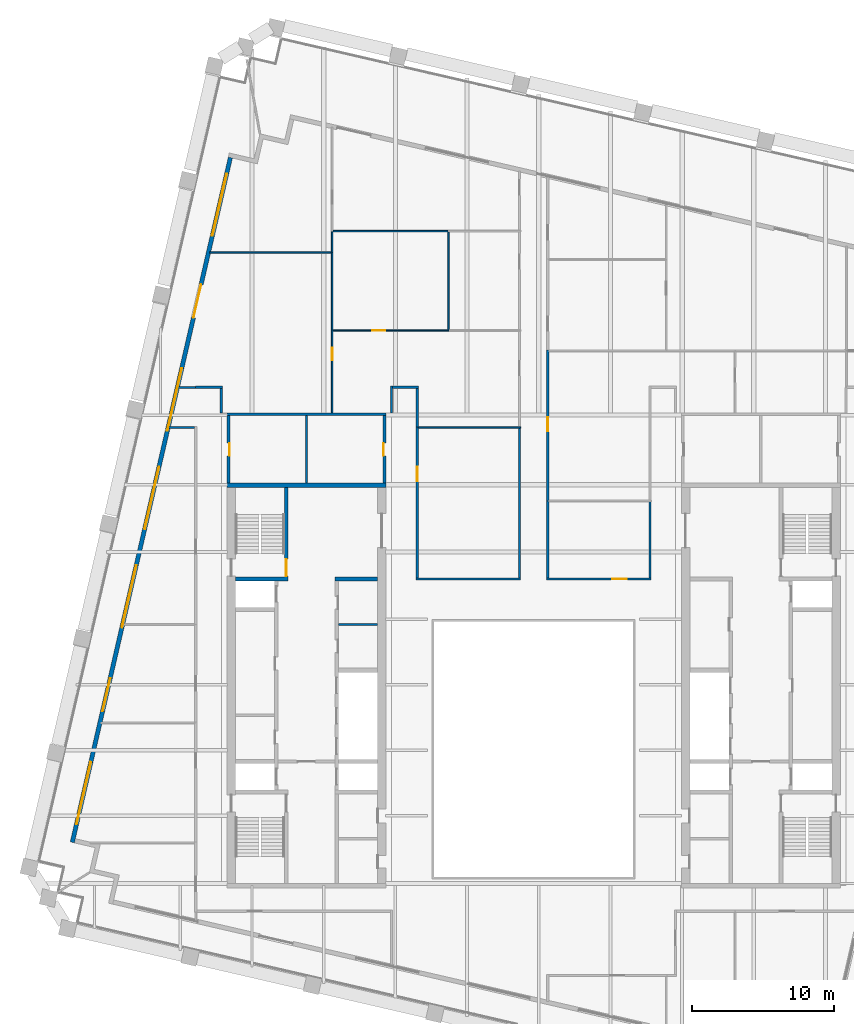
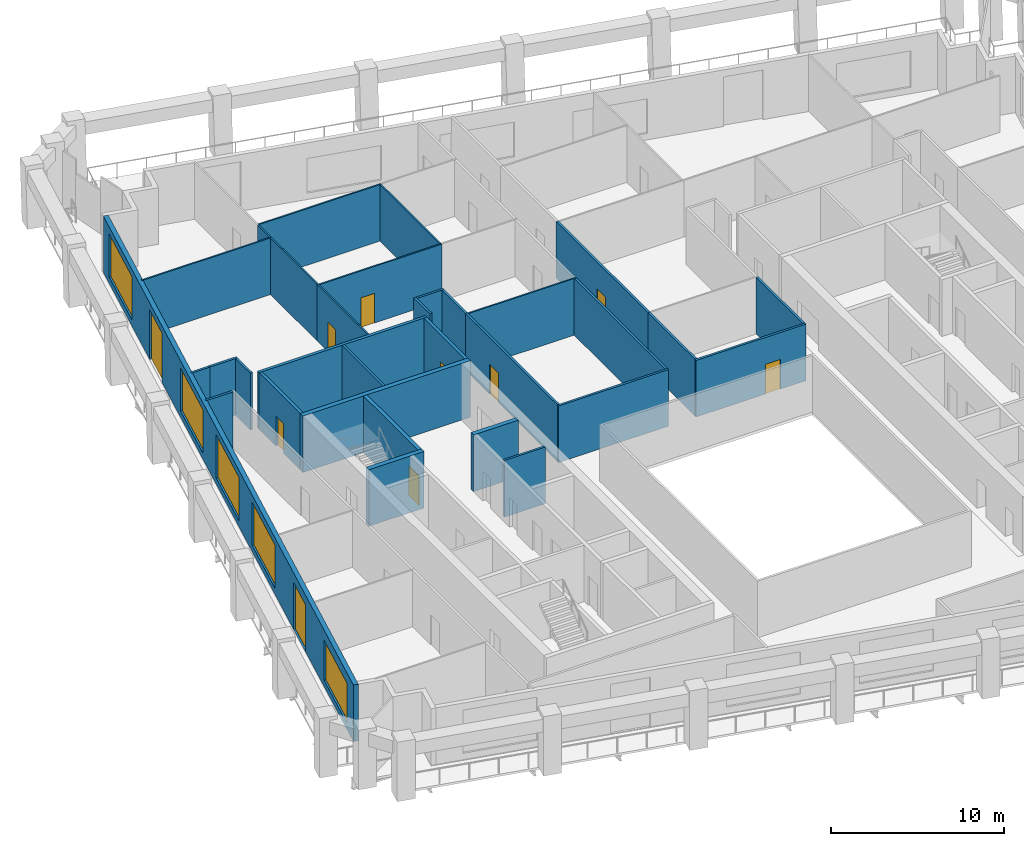
# One storey, part 7 of 10: 32 walls, 10 doors, 5 windows, 15 openings.
"""IFC4 building model written with IfcOpenShell, lengths in metres."""

from ifc_helpers import new_model, si_unit, direction, frame, frame_2d, origin, place, context, subcontext, project, spatial, rectangle, extrude, material, layer, layer_set, type_object, element, fill, save


model = new_model("IFC4")

# Units and contexts
model_context = context("Model", 3, precision=1e-05, world=origin(), true_north=direction((0.0, 1.0)))
body_context = subcontext(model_context, "Body", "Model", "MODEL_VIEW")
ifc_project = project(units=[si_unit("LENGTHUNIT", "METRE"), si_unit("AREAUNIT", "SQUARE_METRE"), si_unit("VOLUMEUNIT", "CUBIC_METRE"), si_unit("PLANEANGLEUNIT", "RADIAN"), si_unit("MASSUNIT", "GRAM", prefix="KILO")], contexts=[model_context])

# Site, building, storey
site_placement = place(None, origin())
site = spatial("IfcSite", under=ifc_project, at=site_placement, CompositionType="ELEMENT")
building_placement = place(site_placement, origin())
building = spatial("IfcBuilding", under=site, at=building_placement, Name="Ogive Exchange Tower", CompositionType="ELEMENT")
storey_placement = place(building_placement, frame((0.0, 0.0, 272.39990234375)))
storey = spatial("IfcBuildingStorey", under=building, at=storey_placement, Name="L59", CompositionType="ELEMENT", Elevation=272.39990234375)

# Walls
ifc_material_1 = material(Name="Gypsum board partition")
ifc_layer_1 = layer(ifc_material_1, 0.14990234375)
ifc_layer_set_1 = layer_set([ifc_layer_1], Name="Core room partition 150 gypsum")
wall_type_1 = type_object("IfcWallType", Name="Core room partition 150 gypsum", PredefinedType="PARTITIONING", material=ifc_layer_set_1)
wall_1_placement = place(storey_placement, frame((-13.75, 15.800048828125, 0.0), z_axis=(0.0, 0.0, 1.0), x_axis=(1.0, 0.0, 0.0)))
element("IfcWall", 1, at=wall_1_placement, inside=storey, type_object=wall_type_1, Name="W row B bay partition 4-1", PredefinedType="PARTITIONING", context=body_context, shape_type="SweptSolid", body=[
    extrude(rectangle(XDim=2.75, YDim=0.14990234375, at=frame_2d((1.375, 0.0))), origin(), (0.0, 0.0, 1.0), 4.0),
])
wall_2_placement = place(storey_placement, frame((-16.0, 25.75, 0.0), z_axis=(0.0, 0.0, 1.0), x_axis=(0.0, 1.0, 0.0)))
element("IfcWall", 2, at=wall_2_placement, inside=storey, type_object=wall_type_1, Name="W annex N column wall", PredefinedType="PARTITIONING", context=body_context, shape_type="SweptSolid", body=[
    extrude(rectangle(XDim=4.75, YDim=0.14990234375, at=frame_2d((2.375, 0.0))), origin(), (0.0, 0.0, 1.0), 4.0),
])
ifc_layer_2 = layer(ifc_material_1, 0.300048828125)
ifc_layer_set_2 = layer_set([ifc_layer_2], Name="Core room partition 300 gypsum")
wall_type_2 = type_object("IfcWallType", Name="Core room partition 300 gypsum", PredefinedType="PARTITIONING", material=ifc_layer_set_2)
wall_3_placement = place(storey_placement, frame((-14.0, 19.0, 0.0), z_axis=(0.0, 0.0, 1.0), x_axis=(1.0, 0.0, 0.0)))
element("IfcWall", 3, at=wall_3_placement, inside=storey, type_object=wall_type_2, Name="W row B room end wall 7", PredefinedType="PARTITIONING", context=body_context, shape_type="SweptSolid", body=[
    extrude(rectangle(XDim=3.0, YDim=0.300048828125, at=frame_2d((1.5, 0.0))), origin(), (0.0, 0.0, 1.0), 4.0),
])
ifc_material_2 = material(Name="Fire partition EI 60 150")
ifc_layer_3 = layer(ifc_material_2, 0.14990234375)
ifc_layer_set_3 = layer_set([ifc_layer_3], Name="Fire partition EI 60 150")
wall_type_3 = type_object("IfcWallType", Name="Fire partition EI 60 150", PredefinedType="PARTITIONING", material=ifc_layer_set_3)
wall_4_placement = place(storey_placement, frame((-25.02490234375, 32.489990234375, 0.0), z_axis=(0.0, 0.0, 1.0), x_axis=(1.0, 0.0, 0.0)))
element("IfcWall", 4, at=wall_4_placement, inside=storey, type_object=wall_type_3, Name="L59-PWL-001", PredefinedType="PARTITIONING", context=body_context, shape_type="SweptSolid", body=[
    extrude(rectangle(XDim=1.224853515625, YDim=0.14990234375, at=frame_2d((0.6123046875, 0.0))), origin(), (0.0, 0.0, 1.0), 4.0),
])
wall_5_placement = place(storey_placement, frame((-23.875, 29.659912109375, 0.0), z_axis=(0.0, 0.0, 1.0), x_axis=(-1.0, 0.0, 0.0)))
element("IfcWall", 5, at=wall_5_placement, inside=storey, type_object=wall_type_3, Name="L59-PWL-009", PredefinedType="PARTITIONING", context=body_context, shape_type="SweptSolid", body=[
    extrude(rectangle(XDim=1.802978515625, YDim=0.14990234375, at=frame_2d((0.9013671875, 0.0))), origin(), (0.0, 0.0, 1.0), 4.0),
])
wall_6_placement = place(storey_placement, frame((-23.800048828125, 32.5, 0.0), z_axis=(0.0, 0.0, 1.0), x_axis=(1.0, 0.0, 0.0)))
element("IfcWall", 6, at=wall_6_placement, inside=storey, type_object=wall_type_3, Name="L59-PWL-010", PredefinedType="PARTITIONING", context=body_context, shape_type="SweptSolid", body=[
    extrude(rectangle(XDim=1.875, YDim=0.14990234375, at=frame_2d((0.9375, 0.0))), origin(), (0.0, 0.0, 1.0), 4.0),
])
wall_7_placement = place(storey_placement, frame((-22.0, 32.425048828125, 0.0), z_axis=(0.0, 0.0, 1.0), x_axis=(0.0, -1.0, 0.0)))
element("IfcWall", 7, at=wall_7_placement, inside=storey, type_object=wall_type_3, Name="L59-PWL-012", PredefinedType="PARTITIONING", context=body_context, shape_type="SweptSolid", body=[
    extrude(rectangle(XDim=1.72509765625, YDim=0.14990234375, at=frame_2d((0.862548828125, 0.0))), origin(), (0.0, 0.0, 1.0), 4.0),
])
wall_8_placement = place(storey_placement, frame((-10.0, 30.699951171875, 0.0), z_axis=(0.0, 0.0, 1.0), x_axis=(0.0, 1.0, 0.0)))
element("IfcWall", 8, at=wall_8_placement, inside=storey, type_object=wall_type_3, Name="L59-PWL-022", PredefinedType="PARTITIONING", context=body_context, shape_type="SweptSolid", body=[
    extrude(rectangle(XDim=1.875, YDim=0.14990234375, at=frame_2d((0.9375, 0.0))), origin(), (0.0, 0.0, 1.0), 4.0),
])
wall_9_placement = place(storey_placement, frame((-9.925048828125, 32.5, 0.0), z_axis=(0.0, 0.0, 1.0), x_axis=(1.0, 0.0, 0.0)))
element("IfcWall", 9, at=wall_9_placement, inside=storey, type_object=wall_type_3, Name="L59-PWL-023", PredefinedType="PARTITIONING", context=body_context, shape_type="SweptSolid", body=[
    extrude(rectangle(XDim=1.800048828125, YDim=0.14990234375, at=frame_2d((0.89990234375, 0.0))), origin(), (0.0, 0.0, 1.0), 4.0),
])
wall_10_placement = place(storey_placement, frame((-8.27490234375, 19.0, 0.0), z_axis=(0.0, 0.0, 1.0), x_axis=(1.0, 0.0, 0.0)))
element("IfcWall", 10, at=wall_10_placement, inside=storey, type_object=wall_type_3, Name="L59-PWL-024", PredefinedType="PARTITIONING", context=body_context, shape_type="SweptSolid", body=[
    extrude(rectangle(XDim=7.35986328125, YDim=0.14990234375, at=frame_2d((3.679931640625, 0.0))), origin(), (0.0, 0.0, 1.0), 4.0),
])

# Wall, opening, door
wall_11_placement = place(storey_placement, frame((-8.199951171875, 29.7099609375, 0.0), z_axis=(0.0, 0.0, 1.0), x_axis=(0.0, -1.0, 0.0)))
wall_11 = element("IfcWall", 11, at=wall_11_placement, inside=storey, type_object=wall_type_3, Name="L59-PWL-025", PredefinedType="PARTITIONING", context=body_context, shape_type="SweptSolid", body=[
    extrude(rectangle(XDim=10.635009765625, YDim=0.14990234375, at=frame_2d((5.3173828125, 0.0))), origin(), (0.0, 0.0, 1.0), 4.0),
])
opening_1_placement = place(wall_11_placement, frame((2.81005859375, 0.0, 0.0)))
opening_1 = element("IfcOpeningElement", 12, at=opening_1_placement, cuts=wall_11, Name="Opening L59-I15", PredefinedType="OPENING", context=body_context, shape_type="SweptSolid", body=[
    extrude(rectangle(XDim=1.0, YDim=2.10009765625, at=frame_2d((0.5, 1.050048828125))), frame((0.0, 0.0849609375, 0.0), z_axis=(0.0, -1.0, 0.0), x_axis=(1.0, 0.0, 0.0)), (0.0, 0.0, 1.0), 0.169921875),
])
ifc_material_3 = material(Name="Fire door FD 30S 1000 x 2100")
door_type_1 = type_object("IfcDoorType", Name="Fire door FD 30S 1000 x 2100", OperationType="NOTDEFINED", PredefinedType="DOOR", material=ifc_material_3)
door_1_placement = place(opening_1_placement, origin())
door_1 = element("IfcDoor", 13, at=door_1_placement, inside=storey, type_object=door_type_1, Name="L59-IDR-015", ObjectType="DT3", OperationType="SINGLE_SWING_RIGHT", OverallHeight=2.10009765625, OverallWidth=1.0, PredefinedType="DOOR", context=body_context, shape_type="SweptSolid", body=[
    extrude(rectangle(XDim=1.0, YDim=2.10009765625, at=frame_2d((0.5, 1.050048828125))), frame((0.0, 0.02490234375, 0.0), z_axis=(0.0, -1.0, 0.0), x_axis=(1.0, 0.0, 0.0)), (0.0, 0.0, 1.0), 0.050048828125),
])
fill(opening_1, door_1)

# Walls
wall_12_placement = place(storey_placement, frame((-8.199951171875, 32.425048828125, 0.0), z_axis=(0.0, 0.0, 1.0), x_axis=(0.0, -1.0, 0.0)))
element("IfcWall", 14, at=wall_12_placement, inside=storey, type_object=wall_type_3, Name="L59-PWL-027", PredefinedType="PARTITIONING", context=body_context, shape_type="SweptSolid", body=[
    extrude(rectangle(XDim=2.715087890625, YDim=0.14990234375, at=frame_2d((1.357421875, 0.0))), origin(), (0.0, 0.0, 1.0), 4.0),
])
wall_13_placement = place(storey_placement, frame((-0.989990234375, 19.074951171875, 0.0), z_axis=(0.0, 0.0, 1.0), x_axis=(0.0, 1.0, 0.0)))
element("IfcWall", 15, at=wall_13_placement, inside=storey, type_object=wall_type_3, Name="L59-PWL-031", PredefinedType="PARTITIONING", context=body_context, shape_type="SweptSolid", body=[
    extrude(rectangle(XDim=10.53515625, YDim=0.14990234375, at=frame_2d((5.267578125, 0.0))), origin(), (0.0, 0.0, 1.0), 4.0),
])

# Wall, opening, door
wall_14_placement = place(storey_placement, frame((0.9150390625, 19.0, 0.0), z_axis=(0.0, 0.0, 1.0), x_axis=(1.0, 0.0, 0.0)))
wall_14 = element("IfcWall", 16, at=wall_14_placement, inside=storey, type_object=wall_type_3, Name="L59-PWL-036", PredefinedType="PARTITIONING", context=body_context, shape_type="SweptSolid", body=[
    extrude(rectangle(XDim=7.35986328125, YDim=0.14990234375, at=frame_2d((3.679931640625, 0.0))), origin(), (0.0, 0.0, 1.0), 4.0),
])
opening_2_placement = place(wall_14_placement, frame((4.635009765625, 0.0, 0.0)))
opening_2 = element("IfcOpeningElement", 17, at=opening_2_placement, cuts=wall_14, Name="Opening L59-I04", PredefinedType="OPENING", context=body_context, shape_type="SweptSolid", body=[
    extrude(rectangle(XDim=1.0, YDim=2.10009765625, at=frame_2d((0.5, 1.050048828125))), frame((0.0, 0.0849609375, 0.0), z_axis=(0.0, -1.0, 0.0), x_axis=(1.0, 0.0, 0.0)), (0.0, 0.0, 1.0), 0.169921875),
])
door_2_placement = place(opening_2_placement, origin())
door_2 = element("IfcDoor", 18, at=door_2_placement, inside=storey, type_object=door_type_1, Name="L59-IDR-004", ObjectType="DT3", OperationType="SINGLE_SWING_LEFT", OverallHeight=2.10009765625, OverallWidth=1.0, PredefinedType="DOOR", context=body_context, shape_type="SweptSolid", body=[
    extrude(rectangle(XDim=1.0, YDim=2.10009765625, at=frame_2d((0.5, 1.050048828125))), frame((0.0, 0.02490234375, 0.0), z_axis=(0.0, -1.0, 0.0), x_axis=(1.0, 0.0, 0.0)), (0.0, 0.0, 1.0), 0.050048828125),
])
fill(opening_2, door_2)

# Wall
wall_15_placement = place(storey_placement, frame((0.989990234375, 24.5, 0.0), z_axis=(0.0, 0.0, 1.0), x_axis=(0.0, -1.0, 0.0)))
element("IfcWall", 19, at=wall_15_placement, inside=storey, type_object=wall_type_3, Name="L59-PWL-037", PredefinedType="PARTITIONING", context=body_context, shape_type="SweptSolid", body=[
    extrude(rectangle(XDim=5.425048828125, YDim=0.14990234375, at=frame_2d((2.71240234375, 0.0))), origin(), (0.0, 0.0, 1.0), 4.0),
])

# Wall, opening, door
wall_16_placement = place(storey_placement, frame((0.989990234375, 35.1201171875, 0.0), z_axis=(0.0, 0.0, 1.0), x_axis=(0.0, -1.0, 0.0)))
wall_16 = element("IfcWall", 20, at=wall_16_placement, inside=storey, type_object=wall_type_3, Name="L59-PWL-039", PredefinedType="PARTITIONING", context=body_context, shape_type="SweptSolid", body=[
    extrude(rectangle(XDim=10.6201171875, YDim=0.14990234375, at=frame_2d((5.31005859375, 0.0))), origin(), (0.0, 0.0, 1.0), 4.0),
])
opening_3_placement = place(wall_16_placement, frame((4.719970703125, 0.0, 0.0)))
opening_3 = element("IfcOpeningElement", 21, at=opening_3_placement, cuts=wall_16, Name="Opening L59-I05", PredefinedType="OPENING", context=body_context, shape_type="SweptSolid", body=[
    extrude(rectangle(XDim=1.0, YDim=2.10009765625, at=frame_2d((0.5, 1.050048828125))), frame((0.0, 0.0849609375, 0.0), z_axis=(0.0, -1.0, 0.0), x_axis=(1.0, 0.0, 0.0)), (0.0, 0.0, 1.0), 0.169921875),
])
door_3_placement = place(opening_3_placement, origin())
door_3 = element("IfcDoor", 22, at=door_3_placement, inside=storey, type_object=door_type_1, Name="L59-IDR-005", ObjectType="DT3", OperationType="SINGLE_SWING_RIGHT", OverallHeight=2.10009765625, OverallWidth=1.0, PredefinedType="DOOR", context=body_context, shape_type="SweptSolid", body=[
    extrude(rectangle(XDim=1.0, YDim=2.10009765625, at=frame_2d((0.5, 1.050048828125))), frame((0.0, 0.02490234375, 0.0), z_axis=(0.0, -1.0, 0.0), x_axis=(1.0, 0.0, 0.0)), (0.0, 0.0, 1.0), 0.050048828125),
])
fill(opening_3, door_3)

# Wall
wall_17_placement = place(storey_placement, frame((8.199951171875, 19.074951171875, 0.0), z_axis=(0.0, 0.0, 1.0), x_axis=(0.0, 1.0, 0.0)))
element("IfcWall", 23, at=wall_17_placement, inside=storey, type_object=wall_type_3, Name="L59-PWL-042", PredefinedType="PARTITIONING", context=body_context, shape_type="SweptSolid", body=[
    extrude(rectangle(XDim=5.375, YDim=0.14990234375, at=frame_2d((2.6875, 0.0))), origin(), (0.0, 0.0, 1.0), 4.0),
])

# Wall, openings, doors, windows
ifc_material_4 = material(Name="Precast concrete C40/50", Category="concrete")
ifc_layer_4 = layer(ifc_material_4, 0.300048828125)
ifc_layer_set_4 = layer_set([ifc_layer_4], Name="Limestone-faced wall 300")
wall_type_4 = type_object("IfcWallType", Name="Limestone-faced wall 300", PredefinedType="STANDARD", material=ifc_layer_set_4)
wall_18_placement = place(storey_placement, frame((-21.35888671875, 48.67822265625, 0.0), z_axis=(0.0, 0.0, 1.0), x_axis=(-0.224949198343, -0.974370493275, 0.0)))
wall_18 = element("IfcWall", 24, at=wall_18_placement, inside=storey, type_object=wall_type_4, Name="External wall W4", PredefinedType="STANDARD", context=body_context, shape_type="SweptSolid", body=[
    extrude(rectangle(XDim=49.5, YDim=0.300048828125, at=frame_2d((24.75, 0.0))), origin(), (0.0, 0.0, 1.0), 4.0),
])
opening_4_placement = place(wall_18_placement, frame((1.156982421875, 0.0, 0.449951171875)))
opening_4 = element("IfcOpeningElement", 25, at=opening_4_placement, cuts=wall_18, Name="Opening W1", PredefinedType="OPENING", context=body_context, shape_type="SweptSolid", body=[
    extrude(rectangle(XDim=4.5, YDim=3.050048828125, at=frame_2d((2.25, 1.52490234375))), frame((0.0, 0.159912109375, 0.0), z_axis=(0.0, -1.0, 0.0), x_axis=(1.0, 0.0, 0.0)), (0.0, 0.0, 1.0), 0.320068359375),
])
opening_5_placement = place(wall_18_placement, frame((9.17138671875, 0.0, 0.0)))
opening_5 = element("IfcOpeningElement", 26, at=opening_5_placement, cuts=wall_18, Name="Opening D1", PredefinedType="OPENING", context=body_context, shape_type="SweptSolid", body=[
    extrude(rectangle(XDim=2.39990234375, YDim=3.5, at=frame_2d((1.199951171875, 1.75))), frame((0.0, 0.159912109375, 0.0), z_axis=(0.0, -1.0, 0.0), x_axis=(1.0, 0.0, 0.0)), (0.0, 0.0, 1.0), 0.320068359375),
])
opening_6_placement = place(wall_18_placement, frame((15.235595703125, 0.0, 0.449951171875)))
opening_6 = element("IfcOpeningElement", 27, at=opening_6_placement, cuts=wall_18, Name="Opening W1", PredefinedType="OPENING", context=body_context, shape_type="SweptSolid", body=[
    extrude(rectangle(XDim=4.5, YDim=3.050048828125, at=frame_2d((2.25, 1.52490234375))), frame((0.0, 0.159912109375, 0.0), z_axis=(0.0, -1.0, 0.0), x_axis=(1.0, 0.0, 0.0)), (0.0, 0.0, 1.0), 0.320068359375),
])
opening_7_placement = place(wall_18_placement, frame((22.35009765625, 0.0, 0.449951171875)))
opening_7 = element("IfcOpeningElement", 28, at=opening_7_placement, cuts=wall_18, Name="Opening W1", PredefinedType="OPENING", context=body_context, shape_type="SweptSolid", body=[
    extrude(rectangle(XDim=4.5, YDim=3.050048828125, at=frame_2d((2.25, 1.52490234375))), frame((0.0, 0.159912109375, 0.0), z_axis=(0.0, -1.0, 0.0), x_axis=(1.0, 0.0, 0.0)), (0.0, 0.0, 1.0), 0.320068359375),
])
opening_8_placement = place(wall_18_placement, frame((29.464111328125, 0.0, 0.449951171875)))
opening_8 = element("IfcOpeningElement", 29, at=opening_8_placement, cuts=wall_18, Name="Opening W1", PredefinedType="OPENING", context=body_context, shape_type="SweptSolid", body=[
    extrude(rectangle(XDim=4.5, YDim=3.050048828125, at=frame_2d((2.25, 1.52490234375))), frame((0.0, 0.159912109375, 0.0), z_axis=(0.0, -1.0, 0.0), x_axis=(1.0, 0.0, 0.0)), (0.0, 0.0, 1.0), 0.320068359375),
])
opening_9_placement = place(wall_18_placement, frame((37.62841796875, 0.0, 0.0)))
opening_9 = element("IfcOpeningElement", 30, at=opening_9_placement, cuts=wall_18, Name="Opening D1C", PredefinedType="OPENING", context=body_context, shape_type="SweptSolid", body=[
    extrude(rectangle(XDim=2.39990234375, YDim=3.324951171875, at=frame_2d((1.199951171875, 1.66259765625))), frame((0.0, 0.159912109375, 0.0), z_axis=(0.0, -1.0, 0.0), x_axis=(1.0, 0.0, 0.0)), (0.0, 0.0, 1.0), 0.320068359375),
])
opening_10_placement = place(wall_18_placement, frame((43.69287109375, 0.0, 0.449951171875)))
opening_10 = element("IfcOpeningElement", 31, at=opening_10_placement, cuts=wall_18, Name="Opening W1E", PredefinedType="OPENING", context=body_context, shape_type="SweptSolid", body=[
    extrude(rectangle(XDim=4.5, YDim=2.824951171875, at=frame_2d((2.25, 1.41259765625))), frame((0.0, 0.159912109375, 0.0), z_axis=(0.0, -1.0, 0.0), x_axis=(1.0, 0.0, 0.0)), (0.0, 0.0, 1.0), 0.320068359375),
])
ifc_material_5 = material(Name="Clear glass in bronze frame", Category="glass")
door_type_2 = type_object("IfcDoorType", Name="Sliding loggia door 2400 x 3325", OperationType="DOUBLE_DOOR_SLIDING", PredefinedType="DOOR", material=ifc_material_5)
door_4_placement = place(opening_9_placement, origin())
door_4 = element("IfcDoor", 32, at=door_4_placement, inside=storey, type_object=door_type_2, Name="Loggia door W05", OperationType="DOUBLE_DOOR_SLIDING", OverallHeight=3.324951171875, OverallWidth=2.39990234375, PredefinedType="DOOR", context=body_context, shape_type="SweptSolid", body=[
    extrude(rectangle(XDim=2.39990234375, YDim=3.324951171875, at=frame_2d((1.199951171875, 1.66259765625))), frame((0.0, 0.02490234375, 0.0), z_axis=(0.0, -1.0, 0.0), x_axis=(1.0, 0.0, 0.0)), (0.0, 0.0, 1.0), 0.050048828125),
])
fill(opening_9, door_4)
door_type_3 = type_object("IfcDoorType", Name="Sliding loggia door 2400 x 3500", OperationType="DOUBLE_DOOR_SLIDING", PredefinedType="DOOR", material=ifc_material_5)
door_5_placement = place(opening_5_placement, origin())
door_5 = element("IfcDoor", 33, at=door_5_placement, inside=storey, type_object=door_type_3, Name="Loggia door W01", OperationType="DOUBLE_DOOR_SLIDING", OverallHeight=3.5, OverallWidth=2.39990234375, PredefinedType="DOOR", context=body_context, shape_type="SweptSolid", body=[
    extrude(rectangle(XDim=2.39990234375, YDim=3.5, at=frame_2d((1.199951171875, 1.75))), frame((0.0, 0.02490234375, 0.0), z_axis=(0.0, -1.0, 0.0), x_axis=(1.0, 0.0, 0.0)), (0.0, 0.0, 1.0), 0.050048828125),
])
fill(opening_5, door_5)
window_type_1 = type_object("IfcWindowType", Name="Twin lancet window 4500 x 2825", PartitioningType="DOUBLE_PANEL_VERTICAL", PredefinedType="WINDOW", material=ifc_material_5)
window_1_placement = place(opening_10_placement, origin())
window_1 = element("IfcWindow", 34, at=window_1_placement, inside=storey, type_object=window_type_1, Name="Window W06", OverallHeight=2.824951171875, OverallWidth=4.5, PartitioningType="DOUBLE_PANEL_VERTICAL", PredefinedType="WINDOW", context=body_context, shape_type="SweptSolid", body=[
    extrude(rectangle(XDim=4.5, YDim=2.824951171875, at=frame_2d((2.25, 1.41259765625))), frame((0.0, 0.030029296875, 0.0), z_axis=(0.0, -1.0, 0.0), x_axis=(1.0, 0.0, 0.0)), (0.0, 0.0, 1.0), 0.06005859375),
])
fill(opening_10, window_1)
window_type_2 = type_object("IfcWindowType", Name="Twin lancet window 4500 x 3050", PartitioningType="DOUBLE_PANEL_VERTICAL", PredefinedType="WINDOW", material=ifc_material_5)
window_2_placement = place(opening_4_placement, origin())
window_2 = element("IfcWindow", 35, at=window_2_placement, inside=storey, type_object=window_type_2, Name="Window W00", OverallHeight=3.050048828125, OverallWidth=4.5, PartitioningType="DOUBLE_PANEL_VERTICAL", PredefinedType="WINDOW", context=body_context, shape_type="SweptSolid", body=[
    extrude(rectangle(XDim=4.5, YDim=3.050048828125, at=frame_2d((2.25, 1.52490234375))), frame((0.0, 0.030029296875, 0.0), z_axis=(0.0, -1.0, 0.0), x_axis=(1.0, 0.0, 0.0)), (0.0, 0.0, 1.0), 0.06005859375),
])
fill(opening_4, window_2)
window_3_placement = place(opening_6_placement, origin())
window_3 = element("IfcWindow", 36, at=window_3_placement, inside=storey, type_object=window_type_2, Name="Window W02", OverallHeight=3.050048828125, OverallWidth=4.5, PartitioningType="DOUBLE_PANEL_VERTICAL", PredefinedType="WINDOW", context=body_context, shape_type="SweptSolid", body=[
    extrude(rectangle(XDim=4.5, YDim=3.050048828125, at=frame_2d((2.25, 1.52490234375))), frame((0.0, 0.030029296875, 0.0), z_axis=(0.0, -1.0, 0.0), x_axis=(1.0, 0.0, 0.0)), (0.0, 0.0, 1.0), 0.06005859375),
])
fill(opening_6, window_3)
window_4_placement = place(opening_7_placement, origin())
window_4 = element("IfcWindow", 37, at=window_4_placement, inside=storey, type_object=window_type_2, Name="Window W03", OverallHeight=3.050048828125, OverallWidth=4.5, PartitioningType="DOUBLE_PANEL_VERTICAL", PredefinedType="WINDOW", context=body_context, shape_type="SweptSolid", body=[
    extrude(rectangle(XDim=4.5, YDim=3.050048828125, at=frame_2d((2.25, 1.52490234375))), frame((0.0, 0.030029296875, 0.0), z_axis=(0.0, -1.0, 0.0), x_axis=(1.0, 0.0, 0.0)), (0.0, 0.0, 1.0), 0.06005859375),
])
fill(opening_7, window_4)
window_5_placement = place(opening_8_placement, origin())
window_5 = element("IfcWindow", 38, at=window_5_placement, inside=storey, type_object=window_type_2, Name="Window W04", OverallHeight=3.050048828125, OverallWidth=4.5, PartitioningType="DOUBLE_PANEL_VERTICAL", PredefinedType="WINDOW", context=body_context, shape_type="SweptSolid", body=[
    extrude(rectangle(XDim=4.5, YDim=3.050048828125, at=frame_2d((2.25, 1.52490234375))), frame((0.0, 0.030029296875, 0.0), z_axis=(0.0, -1.0, 0.0), x_axis=(1.0, 0.0, 0.0)), (0.0, 0.0, 1.0), 0.06005859375),
])
fill(opening_8, window_5)

# Wall, opening, door
ifc_material_6 = material(Name="Partition 100 gypsum")
ifc_layer_5 = layer(ifc_material_6, 0.10009765625)
ifc_layer_set_5 = layer_set([ifc_layer_5], Name="Partition 100 gypsum")
wall_type_5 = type_object("IfcWallType", Name="Partition 100 gypsum", PredefinedType="PARTITIONING", material=ifc_layer_set_5)
wall_19_placement = place(storey_placement, frame((-14.18994140625, 30.699951171875, 0.0), z_axis=(0.0, 0.0, 1.0), x_axis=(0.0, 1.0, 0.0)))
wall_19 = element("IfcWall", 39, at=wall_19_placement, inside=storey, type_object=wall_type_5, Name="L59-PWL-013", PredefinedType="PARTITIONING", context=body_context, shape_type="SweptSolid", body=[
    extrude(rectangle(XDim=5.85009765625, YDim=0.10009765625, at=frame_2d((2.925048828125, 0.0))), origin(), (0.0, 0.0, 1.0), 4.0),
])
opening_11_placement = place(wall_19_placement, frame((3.699951171875, 0.0, 0.0)))
opening_11 = element("IfcOpeningElement", 40, at=opening_11_placement, cuts=wall_19, Name="Opening L59-I21", PredefinedType="OPENING", context=body_context, shape_type="SweptSolid", body=[
    extrude(rectangle(XDim=0.89990234375, YDim=2.10009765625, at=frame_2d((0.449951171875, 1.050048828125))), frame((0.0, 0.06005859375, 0.0), z_axis=(0.0, -1.0, 0.0), x_axis=(1.0, 0.0, 0.0)), (0.0, 0.0, 1.0), 0.1201171875),
])
ifc_material_7 = material(Name="Door 900 x 2100")
door_type_4 = type_object("IfcDoorType", Name="Door 900 x 2100", OperationType="NOTDEFINED", PredefinedType="DOOR", material=ifc_material_7)
door_6_placement = place(opening_11_placement, frame((0.89990234375, 0.0, 0.0), z_axis=(0.0, 0.0, 1.0), x_axis=(-1.0, 0.0, 0.0)))
door_6 = element("IfcDoor", 41, at=door_6_placement, inside=storey, type_object=door_type_4, Name="L59-IDR-021", ObjectType="DT1", OperationType="SINGLE_SWING_RIGHT", OverallHeight=2.10009765625, OverallWidth=0.89990234375, PredefinedType="DOOR", context=body_context, shape_type="SweptSolid", body=[
    extrude(rectangle(XDim=0.89990234375, YDim=2.10009765625, at=frame_2d((0.449951171875, 1.050048828125))), frame((0.0, 0.02490234375, 0.0), z_axis=(0.0, -1.0, 0.0), x_axis=(1.0, 0.0, 0.0)), (0.0, 0.0, 1.0), 0.050048828125),
])
fill(opening_11, door_6)

# Wall
wall_20_placement = place(storey_placement, frame((-14.18994140625, 36.550048828125, 0.0), z_axis=(0.0, 0.0, 1.0), x_axis=(0.0, 1.0, 0.0)))
element("IfcWall", 42, at=wall_20_placement, inside=storey, type_object=wall_type_5, Name="L59-PWL-014", PredefinedType="PARTITIONING", context=body_context, shape_type="SweptSolid", body=[
    extrude(rectangle(XDim=5.5, YDim=0.10009765625, at=frame_2d((2.75, 0.0))), origin(), (0.0, 0.0, 1.0), 4.0),
])

# Wall, opening, door
wall_21_placement = place(storey_placement, frame((-14.139892578125, 36.5, 0.0), z_axis=(0.0, 0.0, 1.0), x_axis=(1.0, 0.0, 0.0)))
wall_21 = element("IfcWall", 43, at=wall_21_placement, inside=storey, type_object=wall_type_5, Name="L59-PWL-015", PredefinedType="PARTITIONING", context=body_context, shape_type="SweptSolid", body=[
    extrude(rectangle(XDim=8.18994140625, YDim=0.10009765625, at=frame_2d((4.094970703125, 0.0))), origin(), (0.0, 0.0, 1.0), 4.0),
])
opening_12_placement = place(wall_21_placement, frame((2.7900390625, 0.0, 0.0)))
opening_12 = element("IfcOpeningElement", 44, at=opening_12_placement, cuts=wall_21, Name="Opening L59-I17", PredefinedType="OPENING", context=body_context, shape_type="SweptSolid", body=[
    extrude(rectangle(XDim=0.89990234375, YDim=2.10009765625, at=frame_2d((0.449951171875, 1.050048828125))), frame((0.0, 0.06005859375, 0.0), z_axis=(0.0, -1.0, 0.0), x_axis=(1.0, 0.0, 0.0)), (0.0, 0.0, 1.0), 0.1201171875),
])
door_7_placement = place(opening_12_placement, origin())
door_7 = element("IfcDoor", 45, at=door_7_placement, inside=storey, type_object=door_type_4, Name="L59-IDR-017", ObjectType="DT1", OperationType="SINGLE_SWING_RIGHT", OverallHeight=2.10009765625, OverallWidth=0.89990234375, PredefinedType="DOOR", context=body_context, shape_type="SweptSolid", body=[
    extrude(rectangle(XDim=0.89990234375, YDim=2.10009765625, at=frame_2d((0.449951171875, 1.050048828125))), frame((0.0, 0.02490234375, 0.0), z_axis=(0.0, -1.0, 0.0), x_axis=(1.0, 0.0, 0.0)), (0.0, 0.0, 1.0), 0.050048828125),
])
fill(opening_12, door_7)

# Walls
wall_22_placement = place(storey_placement, frame((-14.239990234375, 42.0, 0.0), z_axis=(0.0, 0.0, 1.0), x_axis=(-1.0, 0.0, 0.0)))
element("IfcWall", 46, at=wall_22_placement, inside=storey, type_object=wall_type_5, Name="L59-PWL-016", PredefinedType="PARTITIONING", context=body_context, shape_type="SweptSolid", body=[
    extrude(rectangle(XDim=8.589111328125, YDim=0.10009765625, at=frame_2d((4.29443359375, 0.0))), origin(), (0.0, 0.0, 1.0), 4.0),
])
wall_23_placement = place(storey_placement, frame((-14.18994140625, 42.0, 0.0), z_axis=(0.0, 0.0, 1.0), x_axis=(0.0, 1.0, 0.0)))
element("IfcWall", 47, at=wall_23_placement, inside=storey, type_object=wall_type_5, Name="L59-PWL-017", PredefinedType="PARTITIONING", context=body_context, shape_type="SweptSolid", body=[
    extrude(rectangle(XDim=1.449951171875, YDim=0.10009765625, at=frame_2d((0.72509765625, 0.0))), origin(), (0.0, 0.0, 1.0), 4.0),
])
wall_24_placement = place(storey_placement, frame((-14.139892578125, 43.5, 0.0), z_axis=(0.0, 0.0, 1.0), x_axis=(1.0, 0.0, 0.0)))
element("IfcWall", 48, at=wall_24_placement, inside=storey, type_object=wall_type_5, Name="L59-PWL-019", PredefinedType="PARTITIONING", context=body_context, shape_type="SweptSolid", body=[
    extrude(rectangle(XDim=8.18994140625, YDim=0.10009765625, at=frame_2d((4.094970703125, 0.0))), origin(), (0.0, 0.0, 1.0), 4.0),
])
wall_25_placement = place(storey_placement, frame((-8.125, 29.659912109375, 0.0), z_axis=(0.0, 0.0, 1.0), x_axis=(1.0, 0.0, 0.0)))
element("IfcWall", 49, at=wall_25_placement, inside=storey, type_object=wall_type_5, Name="L59-PWL-026", PredefinedType="PARTITIONING", context=body_context, shape_type="SweptSolid", body=[
    extrude(rectangle(XDim=7.2099609375, YDim=0.10009765625, at=frame_2d((3.60498046875, 0.0))), origin(), (0.0, 0.0, 1.0), 4.0),
])
wall_26_placement = place(storey_placement, frame((-6.0, 43.449951171875, 0.0), z_axis=(0.0, 0.0, 1.0), x_axis=(0.0, -1.0, 0.0)))
element("IfcWall", 50, at=wall_26_placement, inside=storey, type_object=wall_type_5, Name="L59-PWL-029", PredefinedType="PARTITIONING", context=body_context, shape_type="SweptSolid", body=[
    extrude(rectangle(XDim=6.89990234375, YDim=0.10009765625, at=frame_2d((3.449951171875, 0.0))), origin(), (0.0, 0.0, 1.0), 4.0),
])

# Wall, opening, door
ifc_material_8 = material(Name="Concrete C70/85", Category="concrete")
ifc_layer_6 = layer(ifc_material_8, 0.199951171875)
ifc_layer_set_6 = layer_set([ifc_layer_6], Name="RC core wall 200 C70/85")
wall_type_6 = type_object("IfcWallType", Name="RC core wall 200 C70/85", PredefinedType="SHEAR", material=ifc_layer_set_6)
wall_27_placement = place(storey_placement, frame((-21.5, 25.75, 0.0), z_axis=(0.0, 0.0, 1.0), x_axis=(0.0, 1.0, 0.0)))
wall_27 = element("IfcWall", 51, at=wall_27_placement, inside=storey, type_object=wall_type_6, Name="W annex N outer wall", PredefinedType="SHEAR", context=body_context, shape_type="SweptSolid", body=[
    extrude(rectangle(XDim=4.75, YDim=0.199951171875, at=frame_2d((2.375, 0.0))), origin(), (0.0, 0.0, 1.0), 4.0),
])
opening_13_placement = place(wall_27_placement, frame((1.925048828125, 0.0, 0.0)))
opening_13 = element("IfcOpeningElement", 52, at=opening_13_placement, cuts=wall_27, Name="Opening L59-C19", PredefinedType="OPENING", context=body_context, shape_type="SweptSolid", body=[
    extrude(rectangle(XDim=0.89990234375, YDim=2.10009765625, at=frame_2d((0.449951171875, 1.050048828125))), frame((0.0, 0.10986328125, 0.0), z_axis=(0.0, -1.0, 0.0), x_axis=(1.0, 0.0, 0.0)), (0.0, 0.0, 1.0), 0.219970703125),
])
ifc_material_9 = material(Name="Timber fire door", Category="wood")
door_type_5 = type_object("IfcDoorType", Name="Core room door FD30S 900 x 2100", OperationType="NOTDEFINED", PredefinedType="DOOR", material=ifc_material_9)
door_8_placement = place(opening_13_placement, origin())
door_8 = element("IfcDoor", 53, at=door_8_placement, inside=storey, type_object=door_type_5, Name="Core room door", ObjectType="CD6", OperationType="SINGLE_SWING_RIGHT", OverallHeight=2.10009765625, OverallWidth=0.89990234375, PredefinedType="DOOR", context=body_context, shape_type="SweptSolid", body=[
    extrude(rectangle(XDim=0.89990234375, YDim=2.10009765625, at=frame_2d((0.449951171875, 1.050048828125))), frame((0.0, -0.0498046875, 0.0), z_axis=(0.0, -1.0, 0.0), x_axis=(1.0, 0.0, 0.0)), (0.0, 0.0, 1.0), 0.050048828125),
])
fill(opening_13, door_8)

wall_28_placement = place(storey_placement, frame((-10.5, 25.75, 0.0), z_axis=(0.0, 0.0, 1.0), x_axis=(0.0, 1.0, 0.0)))
wall_28 = element("IfcWall", 54, at=wall_28_placement, inside=storey, type_object=wall_type_6, Name="W annex N inner wall", PredefinedType="SHEAR", context=body_context, shape_type="SweptSolid", body=[
    extrude(rectangle(XDim=4.75, YDim=0.199951171875, at=frame_2d((2.375, 0.0))), origin(), (0.0, 0.0, 1.0), 4.0),
])
opening_14_placement = place(wall_28_placement, frame((1.925048828125, 0.0, 0.0)))
opening_14 = element("IfcOpeningElement", 55, at=opening_14_placement, cuts=wall_28, Name="Opening L59-C20", PredefinedType="OPENING", context=body_context, shape_type="SweptSolid", body=[
    extrude(rectangle(XDim=0.89990234375, YDim=2.10009765625, at=frame_2d((0.449951171875, 1.050048828125))), frame((0.0, 0.10986328125, 0.0), z_axis=(0.0, -1.0, 0.0), x_axis=(1.0, 0.0, 0.0)), (0.0, 0.0, 1.0), 0.219970703125),
])
ifc_material_10 = material(Name="Steel fire door", Category="steel")
door_type_6 = type_object("IfcDoorType", Name="Riser door FD60 900 x 2100", OperationType="NOTDEFINED", PredefinedType="DOOR", material=ifc_material_10)
door_9_placement = place(opening_14_placement, frame((0.89990234375, 0.14990234375, 0.0), z_axis=(0.0, 0.0, 1.0), x_axis=(-1.0, 0.0, 0.0)))
door_9 = element("IfcDoor", 56, at=door_9_placement, inside=storey, type_object=door_type_6, Name="Riser door", ObjectType="CD2", OperationType="SINGLE_SWING_RIGHT", OverallHeight=2.10009765625, OverallWidth=0.89990234375, PredefinedType="DOOR", context=body_context, shape_type="SweptSolid", body=[
    extrude(rectangle(XDim=0.89990234375, YDim=2.10009765625, at=frame_2d((0.449951171875, 1.050048828125))), frame((0.0, 0.10009765625, 0.0), z_axis=(0.0, -1.0, 0.0), x_axis=(1.0, 0.0, 0.0)), (0.0, 0.0, 1.0), 0.050048828125),
])
fill(opening_14, door_9)

# Wall
wall_29_placement = place(storey_placement, frame((-21.60009765625, 30.60009765625, 0.0), z_axis=(0.0, 0.0, 1.0), x_axis=(1.0, 0.0, 0.0)))
element("IfcWall", 57, at=wall_29_placement, inside=storey, type_object=wall_type_6, Name="W annex N end wall", PredefinedType="SHEAR", context=body_context, shape_type="SweptSolid", body=[
    extrude(rectangle(XDim=11.2001953125, YDim=0.199951171875, at=frame_2d((5.60009765625, 0.0))), origin(), (0.0, 0.0, 1.0), 4.0),
])

# Wall, opening, door
ifc_layer_7 = layer(ifc_material_8, 0.25)
ifc_layer_set_7 = layer_set([ifc_layer_7], Name="RC core wall 250 C70/85")
wall_type_7 = type_object("IfcWallType", Name="RC core wall 250 C70/85", PredefinedType="SHEAR", material=ifc_layer_set_7)
wall_30_placement = place(storey_placement, frame((-17.425048828125, 19.14990234375, 0.0), z_axis=(0.0, 0.0, 1.0), x_axis=(0.0, 1.0, 0.0)))
wall_30 = element("IfcWall", 58, at=wall_30_placement, inside=storey, type_object=wall_type_7, Name="W stair N front wall", PredefinedType="SHEAR", context=body_context, shape_type="SweptSolid", body=[
    extrude(rectangle(XDim=6.300048828125, YDim=0.25, at=frame_2d((3.14990234375, 0.0))), origin(), (0.0, 0.0, 1.0), 4.0),
])
opening_15_placement = place(wall_30_placement, frame((0.050048828125, 0.0, 0.0)))
opening_15 = element("IfcOpeningElement", 59, at=opening_15_placement, cuts=wall_30, Name="Opening L59-C15", PredefinedType="OPENING", context=body_context, shape_type="SweptSolid", body=[
    extrude(rectangle(XDim=1.199951171875, YDim=2.10009765625, at=frame_2d((0.60009765625, 1.050048828125))), frame((0.0, 0.135009765625, 0.0), z_axis=(0.0, -1.0, 0.0), x_axis=(1.0, 0.0, 0.0)), (0.0, 0.0, 1.0), 0.27001953125),
])
door_type_7 = type_object("IfcDoorType", Name="Stair door FD90 1200 x 2100", OperationType="NOTDEFINED", PredefinedType="DOOR", material=ifc_material_10)
door_10_placement = place(opening_15_placement, origin())
door_10 = element("IfcDoor", 60, at=door_10_placement, inside=storey, type_object=door_type_7, Name="Stair door", ObjectType="CD5", OperationType="SINGLE_SWING_RIGHT", OverallHeight=2.10009765625, OverallWidth=1.199951171875, PredefinedType="DOOR", context=body_context, shape_type="SweptSolid", body=[
    extrude(rectangle(XDim=1.199951171875, YDim=2.10009765625, at=frame_2d((0.60009765625, 1.050048828125))), frame((0.0, 0.02490234375, 0.0), z_axis=(0.0, -1.0, 0.0), x_axis=(1.0, 0.0, 0.0)), (0.0, 0.0, 1.0), 0.050048828125),
])
fill(opening_15, door_10)

# Walls
ifc_layer_8 = layer(ifc_material_8, 0.300048828125)
ifc_layer_set_8 = layer_set([ifc_layer_8], Name="RC core wall 300 C70/85")
wall_type_8 = type_object("IfcWallType", Name="RC core wall 300 C70/85", PredefinedType="SHEAR", material=ifc_layer_set_8)
wall_31_placement = place(storey_placement, frame((-21.60009765625, 25.60009765625, 0.0), z_axis=(0.0, 0.0, 1.0), x_axis=(1.0, 0.0, 0.0)))
element("IfcWall", 61, at=wall_31_placement, inside=storey, type_object=wall_type_8, Name="W north end wall", PredefinedType="SHEAR", context=body_context, shape_type="SweptSolid", body=[
    extrude(rectangle(XDim=11.2001953125, YDim=0.300048828125, at=frame_2d((5.60009765625, 0.0))), origin(), (0.0, 0.0, 1.0), 4.0),
])
wall_32_placement = place(storey_placement, frame((-21.0, 19.0, 0.0), z_axis=(0.0, 0.0, 1.0), x_axis=(1.0, 0.0, 0.0)))
element("IfcWall", 62, at=wall_32_placement, inside=storey, type_object=wall_type_8, Name="W stair N south wall", PredefinedType="SHEAR", context=body_context, shape_type="SweptSolid", body=[
    extrude(rectangle(XDim=3.699951171875, YDim=0.300048828125, at=frame_2d((1.85009765625, 0.0))), origin(), (0.0, 0.0, 1.0), 4.0),
])

save(model, "model.ifc")
